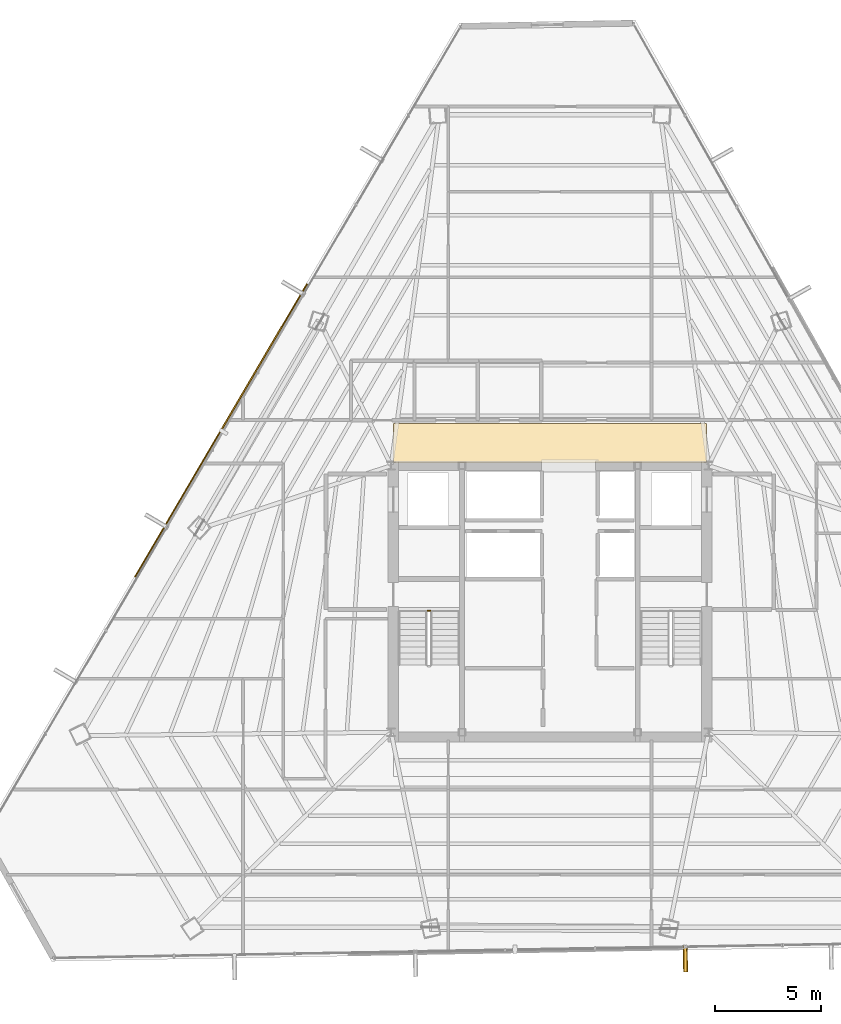
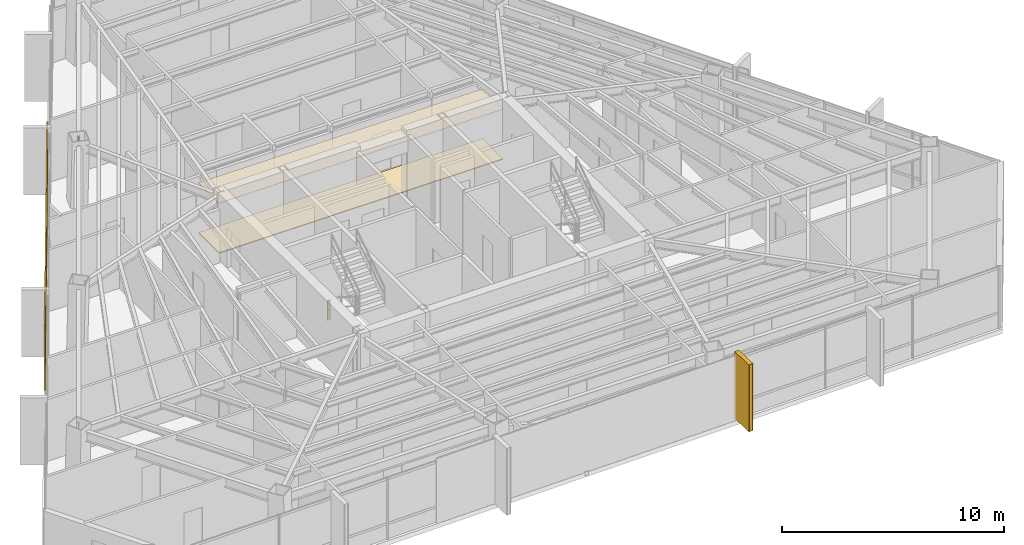
# One storey, part 40 of 42: 3 coverings, 2 shading devices, 1 railing.
"""IFC4 building model written with IfcOpenShell, lengths in metres."""

from ifc_helpers import new_model, si_unit, direction, frame, origin, origin_2d, place, context, subcontext, project, spatial, polyline, rectangle, outline, extrude, source, transform, mapped, material, layer, layer_set, type_object, type_shapes, element, save


model = new_model("IFC4")

# Units and contexts
model_context = context("Model", 3, precision=1e-05, world=origin(), true_north=direction((0.0, 1.0)))
body_context = subcontext(model_context, "Body", "Model", "MODEL_VIEW")
ifc_project = project(units=[si_unit("LENGTHUNIT", "METRE"), si_unit("AREAUNIT", "SQUARE_METRE"), si_unit("VOLUMEUNIT", "CUBIC_METRE"), si_unit("PLANEANGLEUNIT", "RADIAN"), si_unit("MASSUNIT", "GRAM", prefix="KILO")], contexts=[model_context])

# Site, building, storey
site_placement = place(None, origin())
site = spatial("IfcSite", under=ifc_project, at=site_placement, CompositionType="ELEMENT")
building_placement = place(site_placement, origin())
building = spatial("IfcBuilding", under=site, at=building_placement, Name="Caelisora Broadcast Tower", CompositionType="ELEMENT")
storey_placement = place(building_placement, frame((0.0, 0.0, 195.0)))
storey = spatial("IfcBuildingStorey", under=building, at=storey_placement, Name="L51", CompositionType="ELEMENT", Elevation=195.0)

# Coverings
ifc_material_1 = material(Name="Perforated Mineral-Fibre Acoustic Ceiling Tile", Category="gypsum")
ifc_layer_1 = layer(ifc_material_1, 0.034912109375, Name="Perforated Mineral-Fibre Acoustic Ceiling Tile")
ifc_layer_set_1 = layer_set([ifc_layer_1], Name="Perforated Mineral-Fibre Acoustic Ceiling Tile")
covering_type_1 = type_object("IfcCoveringType", Name="CE-1", PredefinedType="CEILING", material=ifc_layer_set_1)
covering_1_placement = place(storey_placement, frame((0.0, 0.0, 2.75)))
element("IfcCovering", 1, at=covering_1_placement, inside=storey, type_object=covering_type_1, Name="L51 acoustic corridor ceiling CE-1 (N)", PredefinedType="CEILING", context=body_context, shape_type="SweptSolid", body=[
    extrude(outline(polyline([(30.60009765625, 30.14990234375), (45.39990234375, 30.14990234375), (45.39990234375, 32.0), (30.60009765625, 32.0), (30.60009765625, 30.14990234375)])), origin(), (0.0, 0.0, 1.0), 0.034912109375),
])
ifc_material_2 = material(Name="Anti-Static Broadcast Raised Access Floor Panel", Category="steel")
ifc_layer_2 = layer(ifc_material_2, 0.044921875, Name="Anti-Static Broadcast Raised Access Floor Panel")
ifc_layer_set_2 = layer_set([ifc_layer_2], Name="Anti-Static Broadcast Raised Access Floor Panel")
covering_type_2 = type_object("IfcCoveringType", Name="FL-1", PredefinedType="FLOORING", material=ifc_layer_set_2)
covering_2_placement = place(storey_placement, origin())
element("IfcCovering", 2, at=covering_2_placement, inside=storey, type_object=covering_type_2, Name="L51 broadcast raised access floor FL-1 (N)", PredefinedType="FLOORING", context=body_context, shape_type="SweptSolid", body=[
    extrude(outline(polyline([(30.60009765625, 30.14990234375), (45.39990234375, 30.14990234375), (45.39990234375, 32.0), (30.60009765625, 32.0), (30.60009765625, 30.14990234375)])), origin(), (0.0, 0.0, 1.0), 0.044921875),
])

# Railing
ifc_material_3 = material(Name="Galvanised Steel Safety Guardrail", Category="steel")
ifc_layer_3 = layer(ifc_material_3, 0.048095703125, Name="Galvanised Steel Safety Guardrail")
ifc_layer_set_3 = layer_set([ifc_layer_3], Name="Galvanised Steel Safety Guardrail")
railing_type = type_object("IfcRailingType", Name="GR-1", PredefinedType="GUARDRAIL", material=ifc_layer_set_3)
railing_placement = place(storey_placement, frame((32.219970703125, 23.14990234375, 0.0)))
element("IfcRailing", 3, at=railing_placement, inside=storey, type_object=railing_type, Name="L51 ST-1 stair guard 4", PredefinedType="GUARDRAIL", context=body_context, shape_type="SweptSolid", body=[
    extrude(rectangle(XDim=0.048095703125, YDim=0.048095703125, at=origin_2d()), frame((0.0, 0.0, 1.076171875), z_axis=(1.0, 0.0, 0.0), x_axis=(0.0, 1.0, 0.0)), (0.0, 0.0, 1.0), 0.1201171875),
    extrude(rectangle(XDim=0.03125, YDim=0.03125, at=origin_2d()), frame((0.0, 0.0, 0.550048828125), z_axis=(1.0, 0.0, 0.0), x_axis=(0.0, 1.0, 0.0)), (0.0, 0.0, 1.0), 0.1201171875),
    extrude(rectangle(XDim=0.0419921875, YDim=0.0419921875, at=origin_2d()), origin(), (0.0, 0.0, 1.0), 1.052001953125),
    extrude(rectangle(XDim=0.0419921875, YDim=0.0419921875, at=origin_2d()), frame((0.1201171875, 0.0, 0.0)), (0.0, 0.0, 1.0), 1.052001953125),
])

# Covering
ifc_material_4 = material(Name="Kiln-Fired Terracotta Spandrel Rainscreen Cladding", Category="ceramic")
ifc_layer_4 = layer(ifc_material_4, 0.044921875, Name="Kiln-Fired Terracotta Spandrel Rainscreen Cladding")
ifc_layer_set_4 = layer_set([ifc_layer_4], Name="Kiln-Fired Terracotta Spandrel Rainscreen Cladding")
covering_type_3 = type_object("IfcCoveringType", Name="CL-1", PredefinedType="CLADDING", material=ifc_layer_set_4)
shared_shape_1 = source(origin(), body_context, "Body", "SweptSolid", [
    extrude(rectangle(XDim=0.219970703125, YDim=1.25, at=origin_2d()), origin(), (0.0, 0.0, 1.0), 3.68994140625),
])
type_shapes(covering_type_3, [shared_shape_1])
covering_3_placement = place(storey_placement, frame((44.404296875, 6.696044921875, -0.02001953125), z_axis=(0.0, 0.0, 1.0), x_axis=(-0.999844633908, -0.017626912514, 0.0)))
element("IfcCovering", 4, at=covering_3_placement, inside=storey, type_object=covering_type_3, Name="L51 vertical solar fin cladding #2-2", PredefinedType="CLADDING", context=body_context, shape_type="MappedRepresentation", body=[
    mapped(shared_shape_1, transform((0.0, 0.0, 0.0), scale=1.0)),
])

# Shading devices
ifc_material_5 = material(Name="Extruded Terracotta Flaring Colonnade Fin", Category="ceramic")
ifc_layer_5 = layer(ifc_material_5, 0.139892578125, Name="Extruded Terracotta Flaring Colonnade Fin")
ifc_layer_set_5 = layer_set([ifc_layer_5], Name="Extruded Terracotta Flaring Colonnade Fin")
shading_device_type_1 = type_object("IfcShadingDeviceType", Name="FN-1", PredefinedType="USERDEFINED", material=ifc_layer_set_5)
shared_shape_2 = source(origin(), body_context, "Body", "SweptSolid", [
    extrude(rectangle(XDim=0.139892578125, YDim=1.25, at=origin_2d()), origin(), (0.0, 0.0, 1.0), 3.669921875),
])
type_shapes(shading_device_type_1, [shared_shape_2])
shading_device_1_placement = place(storey_placement, frame((44.404296875, 6.696044921875, -0.010009765625), z_axis=(0.0, 0.0, 1.0), x_axis=(-0.999844633908, -0.017626912514, 0.0)))
element("IfcShadingDevice", 5, at=shading_device_1_placement, inside=storey, type_object=shading_device_type_1, Name="L51 vertical terracotta fin #2-2", ObjectType="FIN", PredefinedType="USERDEFINED", context=body_context, shape_type="MappedRepresentation", body=[
    mapped(shared_shape_2, transform((0.0, 0.0, 0.0), scale=1.0)),
])
ifc_material_6 = material(Name="Perforated Glazed Terracotta Baguette Solar Screen", Category="ceramic")
ifc_layer_6 = layer(ifc_material_6, 0.06494140625, Name="Perforated Glazed Terracotta Baguette Solar Screen")
ifc_layer_set_6 = layer_set([ifc_layer_6], Name="Perforated Glazed Terracotta Baguette Solar Screen")
shading_device_type_2 = type_object("IfcShadingDeviceType", Name="SS-1", PredefinedType="USERDEFINED", material=ifc_layer_set_6)
shared_shape_3 = source(origin(), body_context, "Body", "SweptSolid", [
    extrude(rectangle(XDim=16.053955078125, YDim=0.06494140625, at=origin_2d()), origin(), (0.0, 0.0, 1.0), 3.590087890625),
])
type_shapes(shading_device_type_2, [shared_shape_3])
shading_device_2_placement = place(storey_placement, frame((22.458984375, 31.663818359375, 0.0), z_axis=(0.0, 0.0, 1.0), x_axis=(-0.506334807353, -0.862336977557, 0.0)))
element("IfcShadingDevice", 6, at=shading_device_2_placement, inside=storey, type_object=shading_device_type_2, Name="L51 perforated terracotta solar screen #1", ObjectType="SOLAR SCREEN", PredefinedType="USERDEFINED", context=body_context, shape_type="MappedRepresentation", body=[
    mapped(shared_shape_3, transform((0.0, 0.0, 0.0), scale=1.0)),
])

save(model, "model.ifc")
